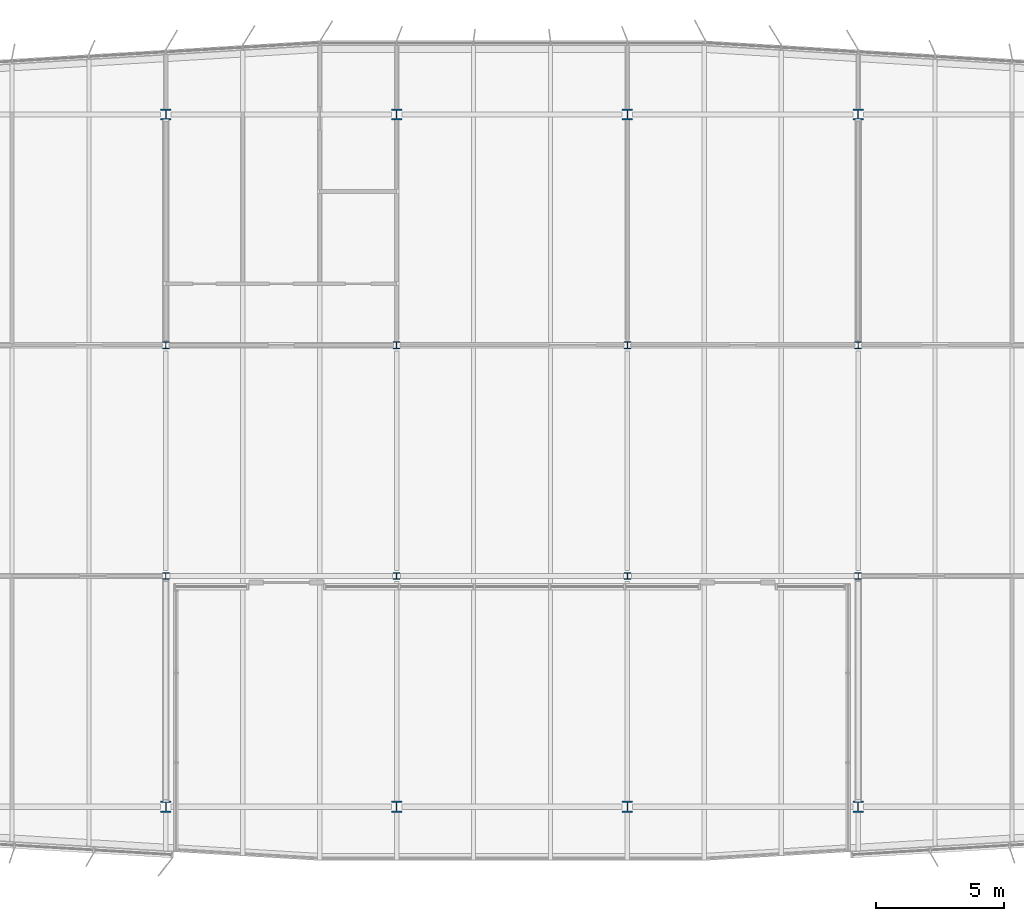
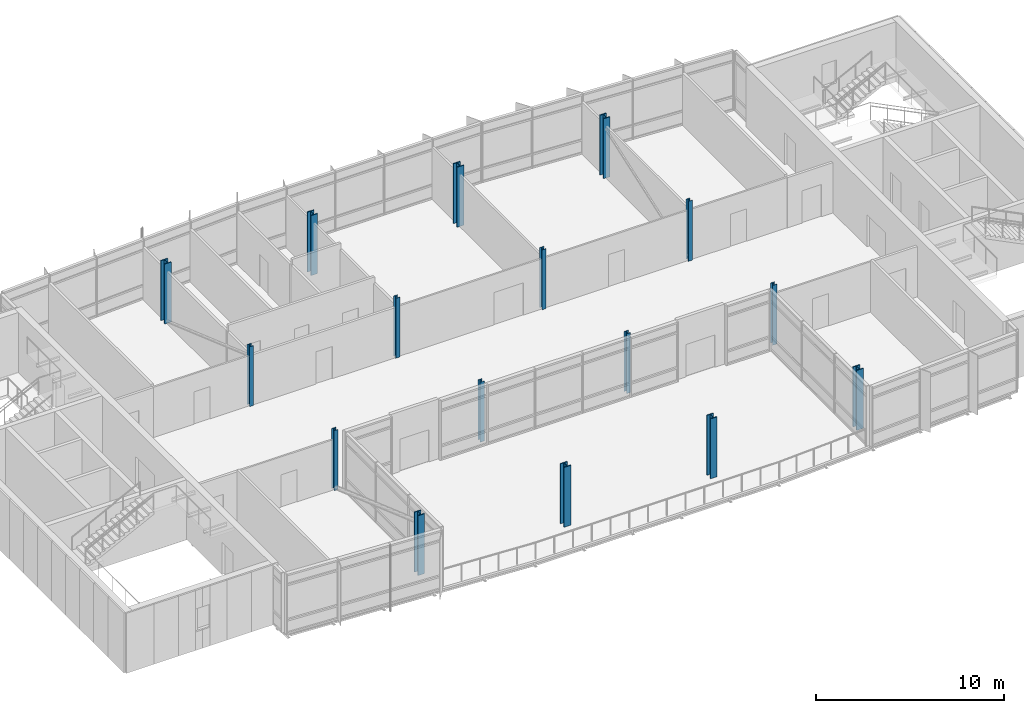
# One storey, part 1 of 19: 16 columns.
"""IFC4 building model written with IfcOpenShell, lengths in metres."""

from ifc_helpers import new_model, si_unit, direction, frame, origin, origin_2d, place, context, subcontext, project, spatial, i_section, extrude, material, material_profile, profile_set, type_object, element, save


model = new_model("IFC4")

# Units and contexts
model_context = context("Model", 3, precision=1e-05, world=origin(), true_north=direction((0.0, 1.0)))
body_context = subcontext(model_context, "Body", "Model", "MODEL_VIEW")
ifc_project = project(units=[si_unit("LENGTHUNIT", "METRE"), si_unit("AREAUNIT", "SQUARE_METRE"), si_unit("VOLUMEUNIT", "CUBIC_METRE"), si_unit("PLANEANGLEUNIT", "RADIAN"), si_unit("MASSUNIT", "GRAM", prefix="KILO")], contexts=[model_context])

# Site, building, storey
site_placement = place(None, origin())
site = spatial("IfcSite", under=ifc_project, at=site_placement, CompositionType="ELEMENT")
building_placement = place(site_placement, origin())
building = spatial("IfcBuilding", under=site, at=building_placement, Name="Azimuth Sports and Learning Centre", CompositionType="ELEMENT")
storey_placement = place(building_placement, frame((0.0, 0.0, 67.5)))
storey = spatial("IfcBuildingStorey", under=building, at=storey_placement, Name="L15", CompositionType="ELEMENT", Elevation=67.5)

# Columns
ifc_material_1 = material(Name="Steel S460", Category="steel")
ifc_material_profile_1 = material_profile(ifc_material_1, i_section(OverallWidth=0.412109375, OverallDepth=0.43505859375, WebThickness=0.035888671875, FlangeThickness=0.057373046875, FilletRadius=0.014892578125, at=origin_2d()), Name="HD 400x463")
ifc_profile_set_1 = profile_set([ifc_material_profile_1], Name="Steel S460")
column_type_1 = type_object("IfcColumnType", Name="Column HD 400x463", PredefinedType="COLUMN", material=ifc_profile_set_1)
for number, where, z_axis, x_axis, name in (
    (1, (72.0, 90.0, 0.0), (0.0, 0.0, 1.0), (1.0, 0.0, 0.0), "Hall column 9L L15"),
    (2, (81.0, 90.0, 0.0), (0.0, 0.0, 1.0), (1.0, 0.0, 0.0), "Hall column 10L L15"),
    (3, (90.0, 90.0, 0.0), (0.0, 0.0, 1.0), (1.0, 0.0, 0.0), "Hall column 11L L15"),
    (4, (99.0, 90.0, 0.0), (0.0, 0.0, 1.0), (1.0, 0.0, 0.0), "Hall column 12L L15"),
    (5, (72.0, 117.0, 0.0), (0.0, 0.0, 1.0), (1.0, 0.0, 0.0), "Hall column 9P L15"),
    (6, (81.0, 117.0, 0.0), (0.0, 0.0, 1.0), (1.0, 0.0, 0.0), "Hall column 10P L15"),
    (7, (90.0, 117.0, 0.0), (0.0, 0.0, 1.0), (1.0, 0.0, 0.0), "Hall column 11P L15"),
    (8, (99.0, 117.0, 0.0), (0.0, 0.0, 1.0), (1.0, 0.0, 0.0), "Hall column 12P L15"),
):
    element("IfcColumn", number, at=place(storey_placement, frame(where, z_axis=z_axis, x_axis=x_axis)), inside=storey, type_object=column_type_1, Name=name, PredefinedType="COLUMN", context=body_context, shape_type="SweptSolid", body=[
        extrude(i_section(OverallWidth=0.412109375, OverallDepth=0.43505859375, WebThickness=0.035888671875, FlangeThickness=0.057373046875, FilletRadius=0.014892578125, at=origin_2d()), origin(), (0.0, 0.0, 1.0), 3.89990234375),
    ])
ifc_material_2 = material(Name="Steel S355", Category="steel")
ifc_material_profile_2 = material_profile(ifc_material_2, i_section(OverallWidth=0.260009765625, OverallDepth=0.260009765625, WebThickness=0.010009765625, FlangeThickness=0.017578125, FilletRadius=0.02392578125, at=origin_2d()), Name="HEB 260")
ifc_profile_set_2 = profile_set([ifc_material_profile_2], Name="Steel S355")
column_type_2 = type_object("IfcColumnType", Name="Column HEB 260", PredefinedType="COLUMN", material=ifc_profile_set_2)
for number, where, z_axis, x_axis, name in (
    (9, (72.0, 99.0, 0.0), (0.0, 0.0, 1.0), (1.0, 0.0, 0.0), "Tower column 9M L15"),
    (10, (81.0, 99.0, 0.0), (0.0, 0.0, 1.0), (1.0, 0.0, 0.0), "Tower column 10M L15"),
    (11, (90.0, 99.0, 0.0), (0.0, 0.0, 1.0), (1.0, 0.0, 0.0), "Tower column 11M L15"),
    (12, (99.0, 99.0, 0.0), (0.0, 0.0, 1.0), (1.0, 0.0, 0.0), "Tower column 12M L15"),
    (13, (72.0, 108.0, 0.0), (0.0, 0.0, 1.0), (1.0, 0.0, 0.0), "Tower column 9N L15"),
    (14, (81.0, 108.0, 0.0), (0.0, 0.0, 1.0), (1.0, 0.0, 0.0), "Tower column 10N L15"),
    (15, (90.0, 108.0, 0.0), (0.0, 0.0, 1.0), (1.0, 0.0, 0.0), "Tower column 11N L15"),
    (16, (99.0, 108.0, 0.0), (0.0, 0.0, 1.0), (1.0, 0.0, 0.0), "Tower column 12N L15"),
):
    element("IfcColumn", number, at=place(storey_placement, frame(where, z_axis=z_axis, x_axis=x_axis)), inside=storey, type_object=column_type_2, Name=name, PredefinedType="COLUMN", context=body_context, shape_type="SweptSolid", body=[
        extrude(i_section(OverallWidth=0.260009765625, OverallDepth=0.260009765625, WebThickness=0.010009765625, FlangeThickness=0.017578125, FilletRadius=0.02392578125, at=origin_2d()), origin(), (0.0, 0.0, 1.0), 3.89990234375),
    ])

save(model, "model.ifc")
